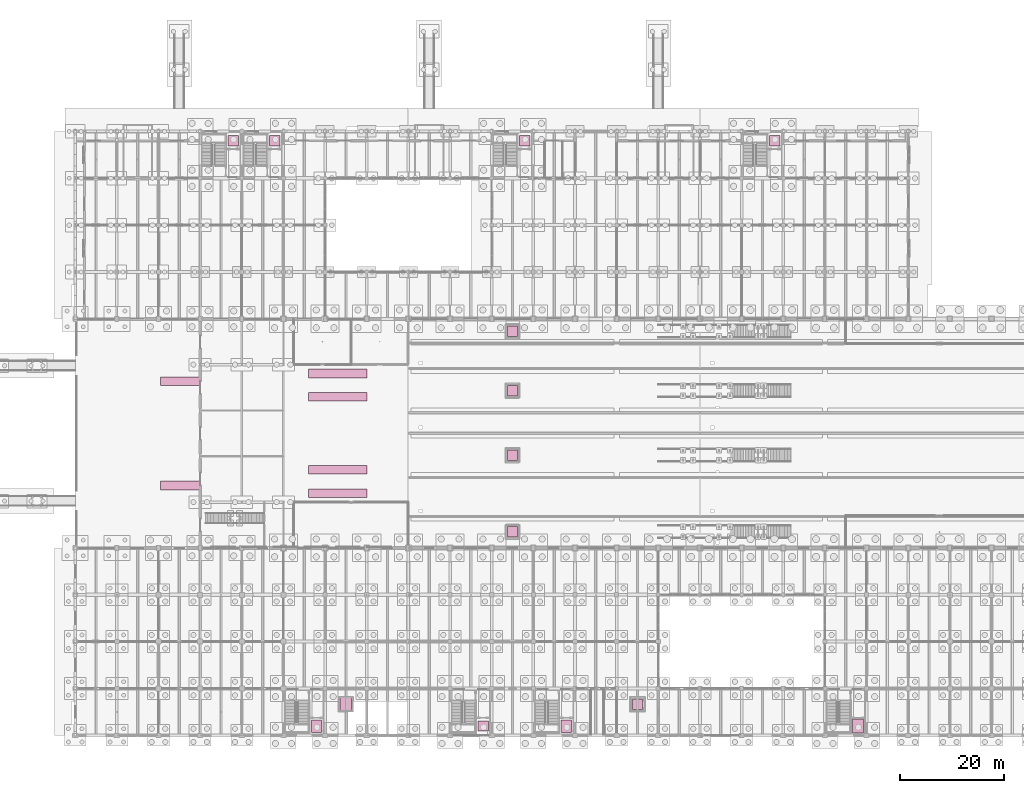
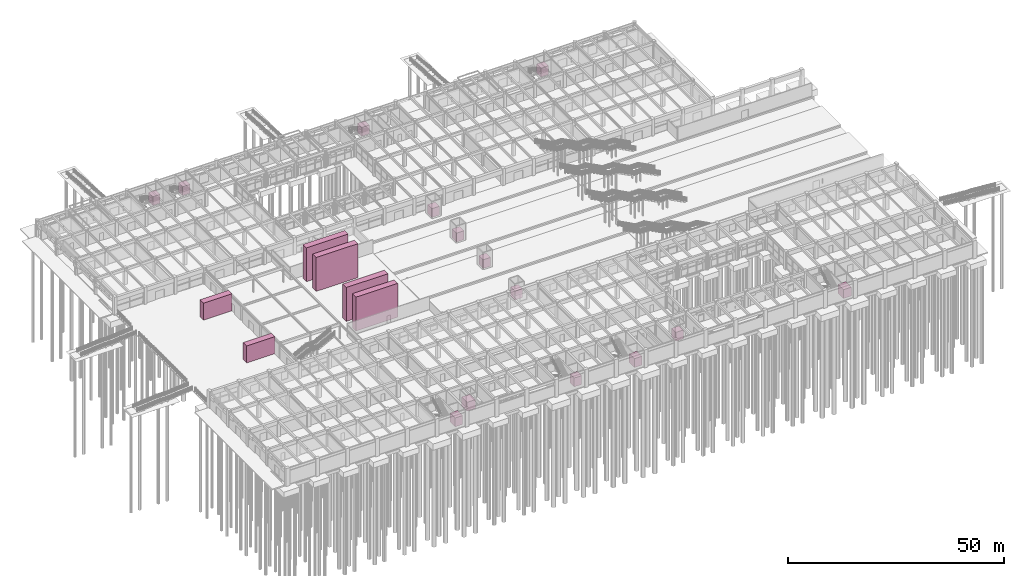
# One storey, part 147 of 147: 20 transport elements.
"""IFC4 building model written with IfcOpenShell, lengths in metres."""

from ifc_helpers import new_model, si_unit, direction, frame, origin, origin_2d, place, context, subcontext, project, spatial, rectangle, extrude, material, type_object, element, save


model = new_model("IFC4")

# Units and contexts
model_context = context("Model", 3, precision=1e-05, world=origin(), true_north=direction((0.0, 1.0)))
body_context = subcontext(model_context, "Body", "Model", "MODEL_VIEW")
ifc_project = project(units=[si_unit("LENGTHUNIT", "METRE"), si_unit("AREAUNIT", "SQUARE_METRE"), si_unit("VOLUMEUNIT", "CUBIC_METRE"), si_unit("PLANEANGLEUNIT", "RADIAN"), si_unit("MASSUNIT", "GRAM", prefix="KILO")], contexts=[model_context])

# Site, building, storey
site_placement = place(None, origin())
site = spatial("IfcSite", under=ifc_project, at=site_placement, CompositionType="ELEMENT")
building_placement = place(site_placement, origin())
building = spatial("IfcBuilding", under=site, at=building_placement, Name="Varnabhumi Central Station", CompositionType="ELEMENT")
storey_placement = place(building_placement, origin())
storey = spatial("IfcBuildingStorey", under=building, at=storey_placement, Name="L00", CompositionType="ELEMENT", Elevation=0.0)

# Transport elements
ifc_material = material(Name="Stainless steel Grade 316", Category="steel")
transport_element_type_1 = type_object("IfcTransportElementType", Name="ESC-RDSO-1000", PredefinedType="ESCALATOR", material=ifc_material)
for number, where, z_axis, x_axis, name in (
    (1, (50.39990234375, 46.5, 0.0), (0.0, 0.0, 1.0), (1.0, 0.0, 0.0), "Reversible Concourse Escalator ESC-1"),
    (2, (50.39990234375, 51.0, 0.0), (0.0, 0.0, 1.0), (1.0, 0.0, 0.0), "Reversible Concourse Escalator ESC-2"),
    (3, (50.39990234375, 65.0, 0.0), (0.0, 0.0, 1.0), (1.0, 0.0, 0.0), "Reversible Concourse Escalator ESC-3"),
    (4, (50.39990234375, 69.5, 0.0), (0.0, 0.0, 1.0), (1.0, 0.0, 0.0), "Reversible Concourse Escalator ESC-4"),
):
    element("IfcTransportElement", number, at=place(storey_placement, frame(where, z_axis=z_axis, x_axis=x_axis)), inside=storey, type_object=transport_element_type_1, Name=name, PredefinedType="ESCALATOR", context=body_context, shape_type="SweptSolid", body=[
        extrude(rectangle(XDim=11.199951171875, YDim=1.64990234375, at=origin_2d()), origin(), (0.0, 0.0, 1.0), 9.60009765625),
    ])
for number, where, z_axis, x_axis, name in (
    (5, (20.199951171875, 48.0, 0.0), (0.0, 0.0, 1.0), (1.0, 0.0, 0.0), "Arrival Mezzanine Escalator ESC-5"),
    (6, (20.199951171875, 68.0, 0.0), (0.0, 0.0, 1.0), (1.0, 0.0, 0.0), "Arrival Mezzanine Escalator ESC-6"),
):
    element("IfcTransportElement", number, at=place(storey_placement, frame(where, z_axis=z_axis, x_axis=x_axis)), inside=storey, type_object=transport_element_type_1, Name=name, PredefinedType="ESCALATOR", context=body_context, shape_type="SweptSolid", body=[
        extrude(rectangle(XDim=7.60009765625, YDim=1.64990234375, at=origin_2d()), origin(), (0.0, 0.0, 1.0), 4.800048828125),
    ])
transport_element_type_2 = type_object("IfcTransportElementType", Name="LFT-FIREMAN", PredefinedType="ELEVATOR", material=ifc_material)
for number, where, z_axis, x_axis, name in (
    (7, (46.344970703125, 1.800048828125, 0.0), (0.0, 0.0, 1.0), (1.0, 0.0, 0.0), "Lift FL-1"),
    (8, (94.344970703125, 1.800048828125, 0.0), (0.0, 0.0, 1.0), (1.0, 0.0, 0.0), "Lift FL-2"),
):
    element("IfcTransportElement", number, at=place(storey_placement, frame(where, z_axis=z_axis, x_axis=x_axis)), inside=storey, type_object=transport_element_type_2, Name=name, PredefinedType="ELEVATOR", context=body_context, shape_type="SweptSolid", body=[
        extrude(rectangle(XDim=2.0, YDim=2.39990234375, at=origin_2d()), origin(), (0.0, 0.0, 1.0), 2.5),
    ])
transport_element_type_3 = type_object("IfcTransportElementType", Name="LFT-GOODS", PredefinedType="ELEVATOR", material=ifc_material)
transport_element_1_placement = place(storey_placement, frame((150.344970703125, 1.800048828125, 0.0), z_axis=(0.0, 0.0, 1.0), x_axis=(1.0, 0.0, 0.0)))
element("IfcTransportElement", 9, at=transport_element_1_placement, inside=storey, type_object=transport_element_type_3, Name="Lift GL-1", PredefinedType="ELEVATOR", context=body_context, shape_type="SweptSolid", body=[
    extrude(rectangle(XDim=2.10009765625, YDim=2.60009765625, at=origin_2d()), origin(), (0.0, 0.0, 1.0), 2.5),
])
transport_element_type_4 = type_object("IfcTransportElementType", Name="LFT-GOODS-2200", PredefinedType="ELEVATOR", material=ifc_material)
transport_element_2_placement = place(storey_placement, frame((52.0, 6.0, 0.0), z_axis=(0.0, 0.0, 1.0), x_axis=(1.0, 0.0, 0.0)))
element("IfcTransportElement", 10, at=transport_element_2_placement, inside=storey, type_object=transport_element_type_4, Name="Lift GL-2", PredefinedType="ELEVATOR", context=body_context, shape_type="SweptSolid", body=[
    extrude(rectangle(XDim=2.199951171875, YDim=2.60009765625, at=origin_2d()), origin(), (0.0, 0.0, 1.0), 2.5),
])
transport_element_type_5 = type_object("IfcTransportElementType", Name="LFT-RDSO-PASS", PredefinedType="ELEVATOR", material=ifc_material)
for number, where, z_axis, x_axis, name in (
    (11, (30.344970703125, 114.199951171875, 0.0), (0.0, 0.0, 1.0), (1.0, 0.0, 0.0), "Lift PL-5"),
    (12, (86.344970703125, 114.199951171875, 0.0), (0.0, 0.0, 1.0), (1.0, 0.0, 0.0), "Lift PL-7"),
    (13, (134.344970703125, 114.199951171875, 0.0), (0.0, 0.0, 1.0), (1.0, 0.0, 0.0), "Lift PL-6"),
    (14, (38.344970703125, 114.199951171875, 0.0), (0.0, 0.0, 1.0), (1.0, 0.0, 0.0), "Lift PL-9"),
    (15, (78.344970703125, 1.800048828125, 0.0), (0.0, 0.0, 1.0), (1.0, 0.0, 0.0), "Lift PL-10"),
    (16, (84.0, 39.10009765625, 0.0), (0.0, 0.0, 1.0), (1.0, 0.0, 0.0), "Lift PL-1"),
    (17, (84.0, 53.800048828125, 0.0), (0.0, 0.0, 1.0), (1.0, 0.0, 0.0), "Lift PL-2"),
    (18, (84.0, 66.199951171875, 0.0), (0.0, 0.0, 1.0), (1.0, 0.0, 0.0), "Lift PL-3"),
    (19, (84.0, 77.60009765625, 0.0), (0.0, 0.0, 1.0), (1.0, 0.0, 0.0), "Lift PL-4"),
    (20, (108.0, 6.0, 0.0), (0.0, 0.0, 1.0), (1.0, 0.0, 0.0), "Lift PL-8"),
):
    element("IfcTransportElement", number, at=place(storey_placement, frame(where, z_axis=z_axis, x_axis=x_axis)), inside=storey, type_object=transport_element_type_5, Name=name, PredefinedType="ELEVATOR", context=body_context, shape_type="SweptSolid", body=[
        extrude(rectangle(XDim=2.0, YDim=2.0, at=origin_2d()), origin(), (0.0, 0.0, 1.0), 2.5),
    ])

save(model, "model.ifc")
